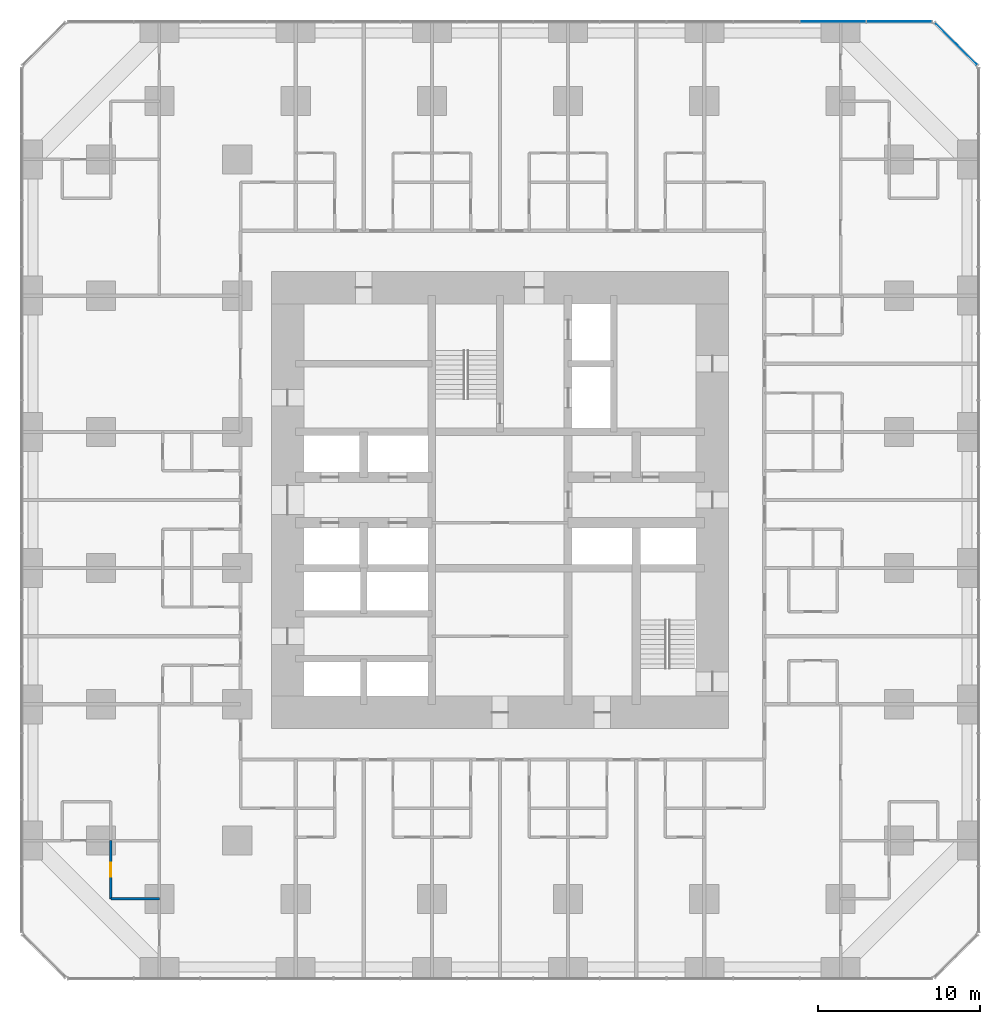
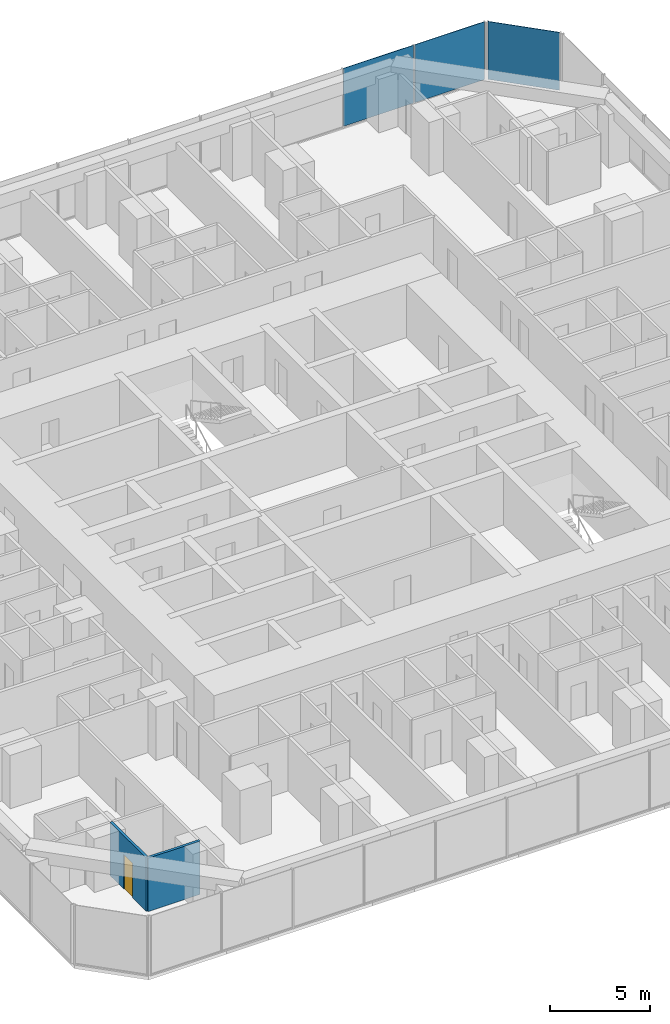
# One storey, part 10 of 18: 3 plates, 2 walls, 1 door, 1 opening, 2 elements without a shape of their own.
"""IFC4 building model written with IfcOpenShell, lengths in metres."""

from ifc_helpers import new_model, si_unit, direction, frame, frame_2d, origin, origin_2d, place, context, subcontext, project, spatial, rectangle, extrude, material, layer, layer_set, type_object, element, fill, aggregate, save


model = new_model("IFC4")

# Units and contexts
model_context = context("Model", 3, precision=1e-05, world=origin(), true_north=direction((0.0, 1.0)))
body_context = subcontext(model_context, "Body", "Model", "MODEL_VIEW")
ifc_project = project(units=[si_unit("LENGTHUNIT", "METRE"), si_unit("AREAUNIT", "SQUARE_METRE"), si_unit("VOLUMEUNIT", "CUBIC_METRE"), si_unit("PLANEANGLEUNIT", "RADIAN"), si_unit("MASSUNIT", "GRAM", prefix="KILO")], contexts=[model_context])

# Site, building, storey
site_placement = place(None, origin())
site = spatial("IfcSite", under=ifc_project, at=site_placement, CompositionType="ELEMENT")
building_placement = place(site_placement, origin())
building = spatial("IfcBuilding", under=site, at=building_placement, Name="Dunama Terrace Hotel", CompositionType="ELEMENT")
storey_placement = place(building_placement, frame((0.0, 0.0, 27.0)))
storey = spatial("IfcBuildingStorey", under=building, at=storey_placement, Name="L05", CompositionType="ELEMENT", Elevation=27.0)

# Curtain wall, plate
ifc_material_1 = material(Name="Aluminium curtain wall system", Category="aluminium")
curtain_wall_type = type_object("IfcCurtainWallType", Name="Unitised fritted glass wall CW-A", PredefinedType="NOTDEFINED", material=ifc_material_1)
curtain_wall_1_placement = place(storey_placement, origin())
curtain_wall_1 = element("IfcCurtainWall", 1, at=curtain_wall_1_placement, inside=storey, type_object=curtain_wall_type, Name="Unitised fritted glass wall CW-A L05", PredefinedType="NOTDEFINED")
ifc_material_2 = material(Name="Laminated glass", Category="glass")
ifc_layer_1 = layer(ifc_material_2, 0.030029296875)
ifc_layer_set_1 = layer_set([ifc_layer_1], Name="CWA clear glass panel")
plate_type_1 = type_object("IfcPlateType", Name="CWA clear glass panel", PredefinedType="CURTAIN_PANEL", material=ifc_layer_set_1)
plate_1_placement = place(storey_placement, frame((54.030029296875, 58.89990234375, 0.074951171875), z_axis=(0.0, 0.0, 1.0), x_axis=(-1.0, 0.0, 0.0)))
plate_1 = element("IfcPlate", 2, at=plate_1_placement, type_object=plate_type_1, Name="CWA clear glass panel", PredefinedType="CURTAIN_PANEL", context=body_context, shape_type="SweptSolid", body=[
    extrude(rectangle(XDim=4.01025390625, YDim=0.030029296875, at=origin_2d()), origin(), (0.0, 0.0, 1.0), 3.52490234375),
])

curtain_wall_2_placement = place(storey_placement, origin())
curtain_wall_2 = element("IfcCurtainWall", 3, at=curtain_wall_2_placement, inside=storey, type_object=curtain_wall_type, Name="Unitised fritted glass wall CW-A L05", PredefinedType="NOTDEFINED")
ifc_material_3 = material(Name="Fritted laminated glass", Category="glass")
ifc_layer_2 = layer(ifc_material_3, 0.030029296875)
ifc_layer_set_2 = layer_set([ifc_layer_2], Name="CWA fritted glass panel")
plate_type_2 = type_object("IfcPlateType", Name="CWA fritted glass panel", PredefinedType="CURTAIN_PANEL", material=ifc_layer_set_2)
plate_2_placement = place(storey_placement, frame((57.52099609375, 57.52099609375, 0.074951171875), z_axis=(0.0, 0.0, 1.0), x_axis=(-0.707106781187, 0.707106781187, 0.0)))
plate_2 = element("IfcPlate", 4, at=plate_2_placement, type_object=plate_type_2, Name="CWA fritted glass panel", PredefinedType="CURTAIN_PANEL", context=body_context, shape_type="SweptSolid", body=[
    extrude(rectangle(XDim=3.6884765625, YDim=0.030029296875, at=origin_2d()), origin(), (0.0, 0.0, 1.0), 3.52490234375),
])
aggregate(curtain_wall_2, [plate_2])

# Plate
ifc_material_4 = material(Name="Laminated glass", Category="glass")
ifc_layer_3 = layer(ifc_material_4, 0.030029296875)
ifc_layer_set_3 = layer_set([ifc_layer_3], Name="CWA operable glass panel")
plate_type_3 = type_object("IfcPlateType", Name="CWA operable glass panel", PredefinedType="CURTAIN_PANEL", material=ifc_layer_set_3)
plate_3_placement = place(storey_placement, frame((49.93798828125, 58.89990234375, 0.074951171875), z_axis=(0.0, 0.0, 1.0), x_axis=(-1.0, 0.0, 0.0)))
plate_3 = element("IfcPlate", 5, at=plate_3_placement, type_object=plate_type_3, Name="CWA operable glass panel", PredefinedType="CURTAIN_PANEL", context=body_context, shape_type="SweptSolid", body=[
    extrude(rectangle(XDim=4.042724609375, YDim=0.030029296875, at=origin_2d()), origin(), (0.0, 0.0, 1.0), 3.52490234375),
])

aggregate(curtain_wall_1, [plate_1, plate_3])

# Wall, opening, door
ifc_material_5 = material(Name="Gypsum board partition", Category="masonry")
ifc_layer_4 = layer(ifc_material_5, 0.14990234375)
ifc_layer_set_4 = layer_set([ifc_layer_4], Name="Bathroom partition 150")
wall_type = type_object("IfcWallType", Name="Bathroom partition 150", PredefinedType="PARTITIONING", material=ifc_layer_set_4)
wall_1_placement = place(storey_placement, frame((5.39990234375, 4.800048828125, 0.0), z_axis=(0.0, 0.0, 1.0), x_axis=(0.0, 1.0, 0.0)))
wall_1 = element("IfcWall", 6, at=wall_1_placement, inside=storey, type_object=wall_type, Name="Bathroom partition 150 L05", PredefinedType="PARTITIONING", context=body_context, shape_type="SweptSolid", body=[
    extrude(rectangle(XDim=3.599853515625, YDim=0.14990234375, at=frame_2d((1.7998046875, 0.0))), origin(), (0.0, 0.0, 1.0), 3.25),
])
opening_placement = place(wall_1_placement, frame((1.375, 0.0, 0.0)))
opening = element("IfcOpeningElement", 7, at=opening_placement, cuts=wall_1, Name="Opening L05-077", PredefinedType="OPENING", context=body_context, shape_type="SweptSolid", body=[
    extrude(rectangle(XDim=0.85009765625, YDim=2.10009765625, at=frame_2d((0.425048828125, 1.050048828125))), frame((0.0, 0.0849609375, 0.0), z_axis=(0.0, -1.0, 0.0), x_axis=(1.0, 0.0, 0.0)), (0.0, 0.0, 1.0), 0.169921875),
])
ifc_material_6 = material(Name="Timber door with steel frame", Category="steel")
door_type = type_object("IfcDoorType", Name="Bathroom door 850", OperationType="SINGLE_SWING_LEFT", PredefinedType="DOOR", material=ifc_material_6)
door_placement = place(opening_placement, frame((0.85009765625, 0.0, 0.0), z_axis=(0.0, 0.0, 1.0), x_axis=(-1.0, 0.0, 0.0)))
door = element("IfcDoor", 8, at=door_placement, inside=storey, type_object=door_type, Name="Door to en-suite bathroom L05-077, type D2", OperationType="SINGLE_SWING_LEFT", OverallHeight=2.10009765625, OverallWidth=0.85009765625, PredefinedType="DOOR", context=body_context, shape_type="SweptSolid", body=[
    extrude(rectangle(XDim=0.85009765625, YDim=2.10009765625, at=frame_2d((0.425048828125, 1.050048828125))), frame((0.0, 0.025146484375, 0.0), z_axis=(0.0, -1.0, 0.0), x_axis=(1.0, 0.0, 0.0)), (0.0, 0.0, 1.0), 0.050048828125),
])
fill(opening, door)

# Wall
wall_2_placement = place(storey_placement, frame((5.39990234375, 4.800048828125, 0.0), z_axis=(0.0, 0.0, 1.0), x_axis=(1.0, 0.0, 0.0)))
element("IfcWall", 9, at=wall_2_placement, inside=storey, type_object=wall_type, Name="Bathroom partition 150 L05", PredefinedType="PARTITIONING", context=body_context, shape_type="SweptSolid", body=[
    extrude(rectangle(XDim=3.0, YDim=0.14990234375, at=frame_2d((1.5, 0.0))), origin(), (0.0, 0.0, 1.0), 3.25),
])

save(model, "model.ifc")
